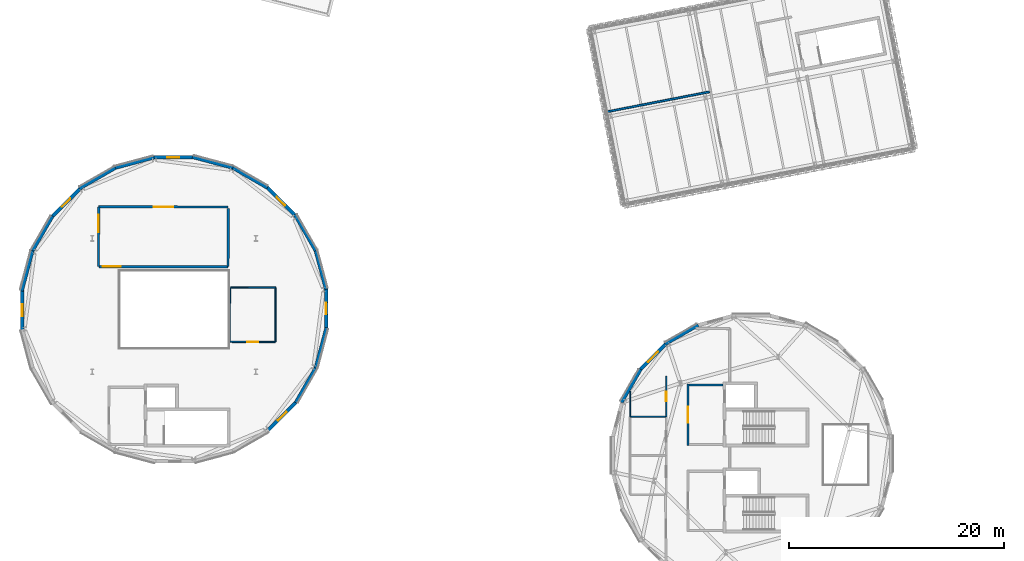
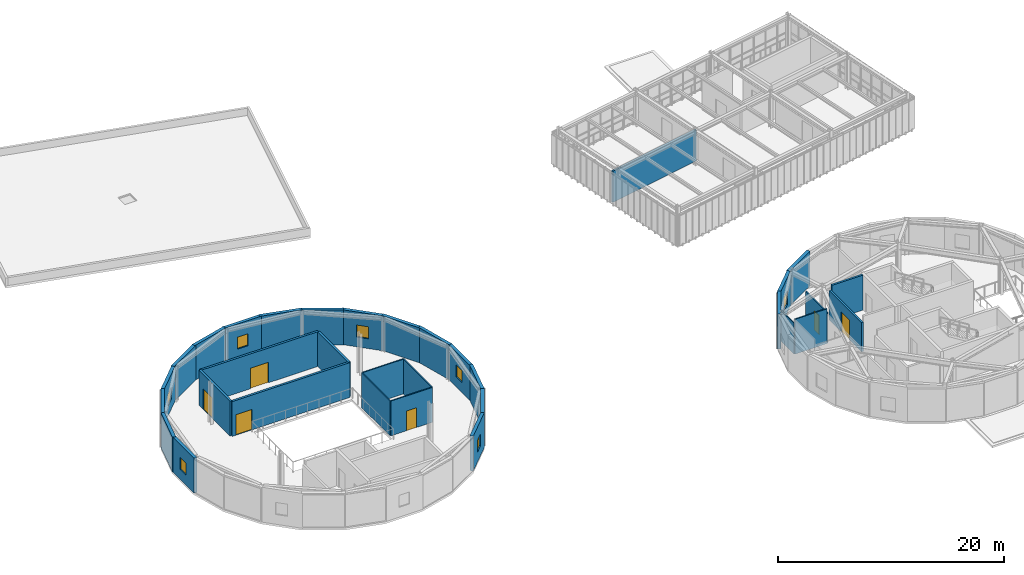
# One storey, part 27 of 44: 33 walls, 7 windows, 6 doors, 13 openings.
"""IFC4 building model written with IfcOpenShell, lengths in metres."""

from ifc_helpers import new_model, si_unit, direction, frame, frame_2d, origin, place, context, subcontext, project, spatial, rectangle, extrude, material, layer, layer_set, type_object, element, fill, save


model = new_model("IFC4")

# Units and contexts
model_context = context("Model", 3, precision=1e-05, world=origin(), true_north=direction((0.0, 1.0)))
body_context = subcontext(model_context, "Body", "Model", "MODEL_VIEW")
ifc_project = project(units=[si_unit("LENGTHUNIT", "METRE"), si_unit("AREAUNIT", "SQUARE_METRE"), si_unit("VOLUMEUNIT", "CUBIC_METRE"), si_unit("PLANEANGLEUNIT", "RADIAN"), si_unit("MASSUNIT", "GRAM", prefix="KILO")], contexts=[model_context])

# Site, building, storey
site_placement = place(None, origin())
site = spatial("IfcSite", under=ifc_project, at=site_placement, CompositionType="ELEMENT")
building_placement = place(site_placement, origin())
building = spatial("IfcBuilding", under=site, at=building_placement, Name="Varnklinge Art Gallery", CompositionType="ELEMENT")
storey_placement = place(building_placement, frame((0.0, 0.0, 13.679931640625)))
storey = spatial("IfcBuildingStorey", under=building, at=storey_placement, Name="L03", CompositionType="ELEMENT", Elevation=13.679931640625)

# Wall, opening, window
ifc_material_1 = material(Name="Precast concrete C40/50", Category="concrete")
ifc_layer_1 = layer(ifc_material_1, 0.320068359375)
ifc_layer_set_1 = layer_set([ifc_layer_1], Name="Precast concrete C40/50")
wall_type_1 = type_object("IfcWallType", Name="EW-32", PredefinedType="SOLIDWALL", material=ifc_layer_set_1)
wall_1_placement = place(storey_placement, frame((35.916748046875, 54.0185546875, 0.0), z_axis=(0.0, 0.0, 1.0), x_axis=(0.0, -1.0, 0.0)))
wall_1 = element("IfcWall", 1, at=wall_1_placement, inside=storey, type_object=wall_type_1, Name="L03 Exterior Wall EW-V3-L03-01", PredefinedType="SOLIDWALL", context=body_context, shape_type="SweptSolid", body=[
    extrude(rectangle(XDim=3.876953125, YDim=0.320068359375, at=frame_2d((1.9384765625, 0.0))), origin(), (0.0, 0.0, 1.0), 3.760009765625),
])
opening_1_placement = place(wall_1_placement, frame((1.388427734375, 0.0, 1.050048828125)))
opening_1 = element("IfcOpeningElement", 2, at=opening_1_placement, cuts=wall_1, Name="Opening WN-15", PredefinedType="OPENING", context=body_context, shape_type="SweptSolid", body=[
    extrude(rectangle(XDim=1.10009765625, YDim=1.300048828125, at=frame_2d((0.550048828125, 0.64990234375))), frame((0.0, 0.170166015625, 0.0), z_axis=(0.0, -1.0, 0.0), x_axis=(1.0, 0.0, 0.0)), (0.0, 0.0, 1.0), 0.340087890625),
])
ifc_material_2 = material(Name="Insulated Low-E Triple Glazing", Category="glass")
window_type_1 = type_object("IfcWindowType", Name="WN-15", PartitioningType="SINGLE_PANEL", PredefinedType="WINDOW", material=ifc_material_2)
window_1_placement = place(opening_1_placement, origin())
window_1 = element("IfcWindow", 3, at=window_1_placement, inside=storey, type_object=window_type_1, Name="L03 Window WIN-L03-058", OverallHeight=1.300048828125, OverallWidth=1.10009765625, PartitioningType="SINGLE_PANEL", PredefinedType="WINDOW", context=body_context, shape_type="SweptSolid", body=[
    extrude(rectangle(XDim=1.10009765625, YDim=1.300048828125, at=frame_2d((0.550048828125, 0.64990234375))), frame((0.0, 0.030029296875, 0.0), z_axis=(0.0, -1.0, 0.0), x_axis=(1.0, 0.0, 0.0)), (0.0, 0.0, 1.0), 0.06005859375),
])
fill(opening_1, window_1)

# Walls
wall_2_placement = place(storey_placement, frame((35.958251953125, 50.2958984375, 0.0), z_axis=(0.0, 0.0, 1.0), x_axis=(-0.258830519575, -0.96592275164, 0.0)))
element("IfcWall", 4, at=wall_2_placement, inside=storey, type_object=wall_type_1, Name="L03 Exterior Wall EW-V3-L03-02", PredefinedType="SOLIDWALL", context=body_context, shape_type="SweptSolid", body=[
    extrude(rectangle(XDim=3.876708984375, YDim=0.320068359375, at=frame_2d((1.9384765625, 0.0))), origin(), (0.0, 0.0, 1.0), 3.760009765625),
])
wall_3_placement = place(storey_placement, frame((35.034912109375, 46.689697265625, 0.0), z_axis=(0.0, 0.0, 1.0), x_axis=(-0.500033140659, -0.866006269171, 0.0)))
element("IfcWall", 5, at=wall_3_placement, inside=storey, type_object=wall_type_1, Name="L03 Exterior Wall EW-V3-L03-03", PredefinedType="SOLIDWALL", context=body_context, shape_type="SweptSolid", body=[
    extrude(rectangle(XDim=3.877197265625, YDim=0.320068359375, at=frame_2d((1.9384765625, 0.0))), origin(), (0.0, 0.0, 1.0), 3.760009765625),
])

# Wall, opening, window
wall_4_placement = place(storey_placement, frame((33.20947265625, 43.445068359375, 0.0), z_axis=(0.0, 0.0, 1.0), x_axis=(-0.707106781187, -0.707106781187, 0.0)))
wall_4 = element("IfcWall", 6, at=wall_4_placement, inside=storey, type_object=wall_type_1, Name="L03 Exterior Wall EW-V3-L03-04", PredefinedType="SOLIDWALL", context=body_context, shape_type="SweptSolid", body=[
    extrude(rectangle(XDim=3.876953125, YDim=0.320068359375, at=frame_2d((1.9384765625, 0.0))), origin(), (0.0, 0.0, 1.0), 3.760009765625),
])
opening_2_placement = place(wall_4_placement, frame((1.388427734375, 0.0, 1.050048828125)))
opening_2 = element("IfcOpeningElement", 7, at=opening_2_placement, cuts=wall_4, Name="Opening WN-15", PredefinedType="OPENING", context=body_context, shape_type="SweptSolid", body=[
    extrude(rectangle(XDim=1.10009765625, YDim=1.300048828125, at=frame_2d((0.550048828125, 0.64990234375))), frame((0.0, 0.170166015625, 0.0), z_axis=(0.0, -1.0, 0.0), x_axis=(1.0, 0.0, 0.0)), (0.0, 0.0, 1.0), 0.340087890625),
])
window_2_placement = place(opening_2_placement, origin())
window_2 = element("IfcWindow", 8, at=window_2_placement, inside=storey, type_object=window_type_1, Name="L03 Window WIN-L03-059", OverallHeight=1.300048828125, OverallWidth=1.10009765625, PartitioningType="SINGLE_PANEL", PredefinedType="WINDOW", context=body_context, shape_type="SweptSolid", body=[
    extrude(rectangle(XDim=1.10009765625, YDim=1.300048828125, at=frame_2d((0.550048828125, 0.64990234375))), frame((0.0, 0.030029296875, 0.0), z_axis=(0.0, -1.0, 0.0), x_axis=(1.0, 0.0, 0.0)), (0.0, 0.0, 1.0), 0.06005859375),
])
fill(opening_2, window_2)

wall_5_placement = place(storey_placement, frame((7.68310546875, 49.9814453125, 0.0), z_axis=(0.0, 0.0, 1.0), x_axis=(0.0, 1.0, 0.0)))
wall_5 = element("IfcWall", 9, at=wall_5_placement, inside=storey, type_object=wall_type_1, Name="L03 Exterior Wall EW-V3-L03-13", PredefinedType="SOLIDWALL", context=body_context, shape_type="SweptSolid", body=[
    extrude(rectangle(XDim=3.876953125, YDim=0.320068359375, at=frame_2d((1.9384765625, 0.0))), origin(), (0.0, 0.0, 1.0), 3.760009765625),
])
opening_3_placement = place(wall_5_placement, frame((1.388427734375, 0.0, 1.050048828125)))
opening_3 = element("IfcOpeningElement", 10, at=opening_3_placement, cuts=wall_5, Name="Opening WN-15", PredefinedType="OPENING", context=body_context, shape_type="SweptSolid", body=[
    extrude(rectangle(XDim=1.10009765625, YDim=1.300048828125, at=frame_2d((0.550048828125, 0.64990234375))), frame((0.0, 0.170166015625, 0.0), z_axis=(0.0, -1.0, 0.0), x_axis=(1.0, 0.0, 0.0)), (0.0, 0.0, 1.0), 0.340087890625),
])
window_3_placement = place(opening_3_placement, origin())
window_3 = element("IfcWindow", 11, at=window_3_placement, inside=storey, type_object=window_type_1, Name="L03 Window WIN-L03-062", OverallHeight=1.300048828125, OverallWidth=1.10009765625, PartitioningType="SINGLE_PANEL", PredefinedType="WINDOW", context=body_context, shape_type="SweptSolid", body=[
    extrude(rectangle(XDim=1.10009765625, YDim=1.300048828125, at=frame_2d((0.550048828125, 0.64990234375))), frame((0.0, 0.030029296875, 0.0), z_axis=(0.0, -1.0, 0.0), x_axis=(1.0, 0.0, 0.0)), (0.0, 0.0, 1.0), 0.06005859375),
])
fill(opening_3, window_3)

# Walls
wall_6_placement = place(storey_placement, frame((7.641845703125, 53.7041015625, 0.0), z_axis=(0.0, 0.0, 1.0), x_axis=(0.258830519575, 0.96592275164, 0.0)))
element("IfcWall", 12, at=wall_6_placement, inside=storey, type_object=wall_type_1, Name="L03 Exterior Wall EW-V3-L03-14", PredefinedType="SOLIDWALL", context=body_context, shape_type="SweptSolid", body=[
    extrude(rectangle(XDim=3.876708984375, YDim=0.320068359375, at=frame_2d((1.9384765625, 0.0))), origin(), (0.0, 0.0, 1.0), 3.760009765625),
])
wall_7_placement = place(storey_placement, frame((8.565185546875, 57.310302734375, 0.0), z_axis=(0.0, 0.0, 1.0), x_axis=(0.499985914114, 0.866033536122, 0.0)))
element("IfcWall", 13, at=wall_7_placement, inside=storey, type_object=wall_type_1, Name="L03 Exterior Wall EW-V3-L03-15", PredefinedType="SOLIDWALL", context=body_context, shape_type="SweptSolid", body=[
    extrude(rectangle(XDim=3.876953125, YDim=0.320068359375, at=frame_2d((1.9384765625, 0.0))), origin(), (0.0, 0.0, 1.0), 3.760009765625),
])

# Wall, opening, window
wall_8_placement = place(storey_placement, frame((10.390625, 60.554931640625, 0.0), z_axis=(0.0, 0.0, 1.0), x_axis=(0.707106781187, 0.707106781187, 0.0)))
wall_8 = element("IfcWall", 14, at=wall_8_placement, inside=storey, type_object=wall_type_1, Name="L03 Exterior Wall EW-V3-L03-16", PredefinedType="SOLIDWALL", context=body_context, shape_type="SweptSolid", body=[
    extrude(rectangle(XDim=3.876953125, YDim=0.320068359375, at=frame_2d((1.9384765625, 0.0))), origin(), (0.0, 0.0, 1.0), 3.760009765625),
])
opening_4_placement = place(wall_8_placement, frame((1.388427734375, 0.0, 1.050048828125)))
opening_4 = element("IfcOpeningElement", 15, at=opening_4_placement, cuts=wall_8, Name="Opening WN-15", PredefinedType="OPENING", context=body_context, shape_type="SweptSolid", body=[
    extrude(rectangle(XDim=1.10009765625, YDim=1.300048828125, at=frame_2d((0.550048828125, 0.64990234375))), frame((0.0, 0.170166015625, 0.0), z_axis=(0.0, -1.0, 0.0), x_axis=(1.0, 0.0, 0.0)), (0.0, 0.0, 1.0), 0.340087890625),
])
window_4_placement = place(opening_4_placement, origin())
window_4 = element("IfcWindow", 16, at=window_4_placement, inside=storey, type_object=window_type_1, Name="L03 Window WIN-L03-063", OverallHeight=1.300048828125, OverallWidth=1.10009765625, PartitioningType="SINGLE_PANEL", PredefinedType="WINDOW", context=body_context, shape_type="SweptSolid", body=[
    extrude(rectangle(XDim=1.10009765625, YDim=1.300048828125, at=frame_2d((0.550048828125, 0.64990234375))), frame((0.0, 0.030029296875, 0.0), z_axis=(0.0, -1.0, 0.0), x_axis=(1.0, 0.0, 0.0)), (0.0, 0.0, 1.0), 0.06005859375),
])
fill(opening_4, window_4)

# Walls
wall_9_placement = place(storey_placement, frame((12.993408203125, 63.21630859375, 0.0), z_axis=(0.0, 0.0, 1.0), x_axis=(0.866049276577, 0.499958648831, 0.0)))
element("IfcWall", 17, at=wall_9_placement, inside=storey, type_object=wall_type_1, Name="L03 Exterior Wall EW-V3-L03-17", PredefinedType="SOLIDWALL", context=body_context, shape_type="SweptSolid", body=[
    extrude(rectangle(XDim=3.877197265625, YDim=0.320068359375, at=frame_2d((1.9384765625, 0.0))), origin(), (0.0, 0.0, 1.0), 3.760009765625),
])
wall_10_placement = place(storey_placement, frame((16.19677734375, 65.11328125, 0.0), z_axis=(0.0, 0.0, 1.0), x_axis=(0.96592275164, 0.258830519575, 0.0)))
element("IfcWall", 18, at=wall_10_placement, inside=storey, type_object=wall_type_1, Name="L03 Exterior Wall EW-V3-L03-18", PredefinedType="SOLIDWALL", context=body_context, shape_type="SweptSolid", body=[
    extrude(rectangle(XDim=3.876708984375, YDim=0.320068359375, at=frame_2d((1.9384765625, 0.0))), origin(), (0.0, 0.0, 1.0), 3.760009765625),
])

# Wall, opening, window
wall_11_placement = place(storey_placement, frame((19.781494140625, 66.11669921875, 0.0), z_axis=(0.0, 0.0, 1.0), x_axis=(1.0, 0.0, 0.0)))
wall_11 = element("IfcWall", 19, at=wall_11_placement, inside=storey, type_object=wall_type_1, Name="L03 Exterior Wall EW-V3-L03-19", PredefinedType="SOLIDWALL", context=body_context, shape_type="SweptSolid", body=[
    extrude(rectangle(XDim=3.876953125, YDim=0.320068359375, at=frame_2d((1.9384765625, 0.0))), origin(), (0.0, 0.0, 1.0), 3.760009765625),
])
opening_5_placement = place(wall_11_placement, frame((1.388427734375, 0.0, 1.050048828125)))
opening_5 = element("IfcOpeningElement", 20, at=opening_5_placement, cuts=wall_11, Name="Opening WN-15", PredefinedType="OPENING", context=body_context, shape_type="SweptSolid", body=[
    extrude(rectangle(XDim=1.10009765625, YDim=1.300048828125, at=frame_2d((0.550048828125, 0.64990234375))), frame((0.0, 0.170166015625, 0.0), z_axis=(0.0, -1.0, 0.0), x_axis=(1.0, 0.0, 0.0)), (0.0, 0.0, 1.0), 0.340087890625),
])
window_5_placement = place(opening_5_placement, origin())
window_5 = element("IfcWindow", 21, at=window_5_placement, inside=storey, type_object=window_type_1, Name="L03 Window WIN-L03-064", OverallHeight=1.300048828125, OverallWidth=1.10009765625, PartitioningType="SINGLE_PANEL", PredefinedType="WINDOW", context=body_context, shape_type="SweptSolid", body=[
    extrude(rectangle(XDim=1.10009765625, YDim=1.300048828125, at=frame_2d((0.550048828125, 0.64990234375))), frame((0.0, 0.030029296875, 0.0), z_axis=(0.0, -1.0, 0.0), x_axis=(1.0, 0.0, 0.0)), (0.0, 0.0, 1.0), 0.06005859375),
])
fill(opening_5, window_5)

# Walls
wall_12_placement = place(storey_placement, frame((23.50390625, 66.158203125, 0.0), z_axis=(0.0, 0.0, 1.0), x_axis=(0.965926970208, -0.258814775902, 0.0)))
element("IfcWall", 22, at=wall_12_placement, inside=storey, type_object=wall_type_1, Name="L03 Exterior Wall EW-V3-L03-20", PredefinedType="SOLIDWALL", context=body_context, shape_type="SweptSolid", body=[
    extrude(rectangle(XDim=3.876953125, YDim=0.320068359375, at=frame_2d((1.9384765625, 0.0))), origin(), (0.0, 0.0, 1.0), 3.760009765625),
])
wall_13_placement = place(storey_placement, frame((27.110107421875, 65.23486328125, 0.0), z_axis=(0.0, 0.0, 1.0), x_axis=(0.866049276577, -0.499958648831, 0.0)))
element("IfcWall", 23, at=wall_13_placement, inside=storey, type_object=wall_type_1, Name="L03 Exterior Wall EW-V3-L03-21", PredefinedType="SOLIDWALL", context=body_context, shape_type="SweptSolid", body=[
    extrude(rectangle(XDim=3.877197265625, YDim=0.320068359375, at=frame_2d((1.9384765625, 0.0))), origin(), (0.0, 0.0, 1.0), 3.760009765625),
])

# Wall, opening, window
wall_14_placement = place(storey_placement, frame((30.35498046875, 63.409423828125, 0.0), z_axis=(0.0, 0.0, 1.0), x_axis=(0.707075293342, -0.707138267629, 0.0)))
wall_14 = element("IfcWall", 24, at=wall_14_placement, inside=storey, type_object=wall_type_1, Name="L03 Exterior Wall EW-V3-L03-22", PredefinedType="SOLIDWALL", context=body_context, shape_type="SweptSolid", body=[
    extrude(rectangle(XDim=3.876708984375, YDim=0.320068359375, at=frame_2d((1.9384765625, 0.0))), origin(), (0.0, 0.0, 1.0), 3.760009765625),
])
opening_6_placement = place(wall_14_placement, frame((1.388427734375, 0.0, 1.050048828125)))
opening_6 = element("IfcOpeningElement", 25, at=opening_6_placement, cuts=wall_14, Name="Opening WN-15", PredefinedType="OPENING", context=body_context, shape_type="SweptSolid", body=[
    extrude(rectangle(XDim=1.10009765625, YDim=1.300048828125, at=frame_2d((0.550048828125, 0.64990234375))), frame((0.0, 0.170166015625, 0.0), z_axis=(0.0, -1.0, 0.0), x_axis=(1.0, 0.0, 0.0)), (0.0, 0.0, 1.0), 0.340087890625),
])
window_6_placement = place(opening_6_placement, origin())
window_6 = element("IfcWindow", 26, at=window_6_placement, inside=storey, type_object=window_type_1, Name="L03 Window WIN-L03-065", OverallHeight=1.300048828125, OverallWidth=1.10009765625, PartitioningType="SINGLE_PANEL", PredefinedType="WINDOW", context=body_context, shape_type="SweptSolid", body=[
    extrude(rectangle(XDim=1.10009765625, YDim=1.300048828125, at=frame_2d((0.550048828125, 0.64990234375))), frame((0.0, 0.030029296875, 0.0), z_axis=(0.0, -1.0, 0.0), x_axis=(1.0, 0.0, 0.0)), (0.0, 0.0, 1.0), 0.06005859375),
])
fill(opening_6, window_6)

# Walls
wall_15_placement = place(storey_placement, frame((33.016357421875, 60.806640625, 0.0), z_axis=(0.0, 0.0, 1.0), x_axis=(0.499958648831, -0.866049276577, 0.0)))
element("IfcWall", 27, at=wall_15_placement, inside=storey, type_object=wall_type_1, Name="L03 Exterior Wall EW-V3-L03-23", PredefinedType="SOLIDWALL", context=body_context, shape_type="SweptSolid", body=[
    extrude(rectangle(XDim=3.877197265625, YDim=0.320068359375, at=frame_2d((1.9384765625, 0.0))), origin(), (0.0, 0.0, 1.0), 3.760009765625),
])
wall_16_placement = place(storey_placement, frame((34.913330078125, 57.603271484375, 0.0), z_axis=(0.0, 0.0, 1.0), x_axis=(0.258814775902, -0.965926970208, 0.0)))
element("IfcWall", 28, at=wall_16_placement, inside=storey, type_object=wall_type_1, Name="L03 Exterior Wall EW-V3-L03-24", PredefinedType="SOLIDWALL", context=body_context, shape_type="SweptSolid", body=[
    extrude(rectangle(XDim=3.876953125, YDim=0.320068359375, at=frame_2d((1.9384765625, 0.0))), origin(), (0.0, 0.0, 1.0), 3.760009765625),
])
wall_17_placement = place(storey_placement, frame((63.373779296875, 43.35107421875, 0.0), z_axis=(0.0, 0.0, 1.0), x_axis=(0.500007084799, 0.866021313335, 0.0)))
element("IfcWall", 29, at=wall_17_placement, inside=storey, type_object=wall_type_1, Name="L03 Exterior Wall EW-V4D-L03-15", PredefinedType="SOLIDWALL", context=body_context, shape_type="SweptSolid", body=[
    extrude(rectangle(XDim=3.56396484375, YDim=0.320068359375, at=frame_2d((1.781982421875, 0.0))), origin(), (0.0, 0.0, 1.0), 3.760009765625),
])

# Wall, opening, window
wall_18_placement = place(storey_placement, frame((65.04248046875, 46.324462890625, 0.0), z_axis=(0.0, 0.0, 1.0), x_axis=(0.707141034428, 0.707072526286, 0.0)))
wall_18 = element("IfcWall", 30, at=wall_18_placement, inside=storey, type_object=wall_type_1, Name="L03 Exterior Wall EW-V4D-L03-16", PredefinedType="SOLIDWALL", context=body_context, shape_type="SweptSolid", body=[
    extrude(rectangle(XDim=3.563720703125, YDim=0.320068359375, at=frame_2d((1.78173828125, 0.0))), origin(), (0.0, 0.0, 1.0), 3.760009765625),
])
opening_7_placement = place(wall_18_placement, frame((1.106689453125, 0.0, 0.85009765625)))
opening_7 = element("IfcOpeningElement", 31, at=opening_7_placement, cuts=wall_18, Name="Opening WN-02", PredefinedType="OPENING", context=body_context, shape_type="SweptSolid", body=[
    extrude(rectangle(XDim=1.35009765625, YDim=1.5, at=frame_2d((0.675048828125, 0.75))), frame((0.0, 0.170166015625, 0.0), z_axis=(0.0, -1.0, 0.0), x_axis=(1.0, 0.0, 0.0)), (0.0, 0.0, 1.0), 0.340087890625),
])
ifc_material_3 = material(Name="Insulated Low-E Triple Glazing", Category="glass")
window_type_2 = type_object("IfcWindowType", Name="WN-02", PartitioningType="SINGLE_PANEL", PredefinedType="WINDOW", material=ifc_material_3)
window_7_placement = place(opening_7_placement, origin())
window_7 = element("IfcWindow", 32, at=window_7_placement, inside=storey, type_object=window_type_2, Name="L03 Window WIN-L03-101", OverallHeight=1.5, OverallWidth=1.35009765625, PartitioningType="SINGLE_PANEL", PredefinedType="WINDOW", context=body_context, shape_type="SweptSolid", body=[
    extrude(rectangle(XDim=1.35009765625, YDim=1.5, at=frame_2d((0.675048828125, 0.75))), frame((0.0, 0.030029296875, 0.0), z_axis=(0.0, -1.0, 0.0), x_axis=(1.0, 0.0, 0.0)), (0.0, 0.0, 1.0), 0.06005859375),
])
fill(opening_7, window_7)

# Wall
wall_19_placement = place(storey_placement, frame((67.423828125, 48.764404296875, 0.0), z_axis=(0.0, 0.0, 1.0), x_axis=(0.8660680979, 0.499926044331, 0.0)))
element("IfcWall", 33, at=wall_19_placement, inside=storey, type_object=wall_type_1, Name="L03 Exterior Wall EW-V4D-L03-17", PredefinedType="SOLIDWALL", context=body_context, shape_type="SweptSolid", body=[
    extrude(rectangle(XDim=3.56396484375, YDim=0.320068359375, at=frame_2d((1.781982421875, 0.0))), origin(), (0.0, 0.0, 1.0), 3.760009765625),
])

# Wall, opening, door
ifc_material_4 = material(Name="Gypsum Board Partition", Category="gypsum")
ifc_layer_2 = layer(ifc_material_4, 0.10009765625)
ifc_layer_set_2 = layer_set([ifc_layer_2], Name="Gypsum Board Partition")
wall_type_2 = type_object("IfcWallType", Name="IW-10", PredefinedType="PARTITIONING", material=ifc_layer_set_2)
wall_20_placement = place(storey_placement, frame((67.530029296875, 45.800048828125, 0.0), z_axis=(0.0, 0.0, 1.0), x_axis=(0.0, -1.0, 0.0)))
wall_20 = element("IfcWall", 34, at=wall_20_placement, inside=storey, type_object=wall_type_2, Name="L03 Partition Wall IW-L03-0336", PredefinedType="PARTITIONING", context=body_context, shape_type="SweptSolid", body=[
    extrude(rectangle(XDim=3.800048828125, YDim=0.10009765625, at=frame_2d((1.89990234375, 0.0))), origin(), (0.0, 0.0, 1.0), 3.300048828125),
])
opening_8_placement = place(wall_20_placement, frame((1.43994140625, 0.0, 0.0)))
opening_8 = element("IfcOpeningElement", 35, at=opening_8_placement, cuts=wall_20, Name="Opening D-L03-254", PredefinedType="OPENING", context=body_context, shape_type="SweptSolid", body=[
    extrude(rectangle(XDim=0.919921875, YDim=2.080078125, at=frame_2d((0.4599609375, 1.0400390625))), frame((0.0, 0.06005859375, 0.0), z_axis=(0.0, -1.0, 0.0), x_axis=(1.0, 0.0, 0.0)), (0.0, 0.0, 1.0), 0.1201171875),
])
ifc_material_5 = material(Name="Oak Timber Leaf", Category="wood")
door_type_1 = type_object("IfcDoorType", Name="ID-01", OperationType="SINGLE_SWING_LEFT", PredefinedType="DOOR", material=ifc_material_5)
door_1_placement = place(opening_8_placement, origin())
door_1 = element("IfcDoor", 36, at=door_1_placement, inside=storey, type_object=door_type_1, Name="L03 L03 Curatorial Conservation Closet Door D-L03-254", OperationType="SINGLE_SWING_RIGHT", OverallHeight=2.080078125, OverallWidth=0.919921875, PredefinedType="DOOR", context=body_context, shape_type="SweptSolid", body=[
    extrude(rectangle(XDim=0.919921875, YDim=2.080078125, at=frame_2d((0.4599609375, 1.0400390625))), frame((0.0, 0.02490234375, 0.0), z_axis=(0.0, -1.0, 0.0), x_axis=(1.0, 0.0, 0.0)), (0.0, 0.0, 1.0), 0.050048828125),
])
fill(opening_8, door_1)

# Wall
wall_21_placement = place(storey_placement, frame((64.169921875, 42.0, 0.0), z_axis=(0.0, 0.0, 1.0), x_axis=(0.0, 1.0, 0.0)))
element("IfcWall", 37, at=wall_21_placement, inside=storey, type_object=wall_type_2, Name="L03 Partition Wall IW-L03-0356", PredefinedType="PARTITIONING", context=body_context, shape_type="SweptSolid", body=[
    extrude(rectangle(XDim=2.402099609375, YDim=0.10009765625, at=frame_2d((1.201171875, 0.0))), origin(), (0.0, 0.0, 1.0), 3.300048828125),
])

# Wall, opening, door
ifc_material_6 = material(Name="Gypsum Board Partition", Category="gypsum")
ifc_layer_3 = layer(ifc_material_6, 0.1201171875)
ifc_layer_set_3 = layer_set([ifc_layer_3], Name="Gypsum Board Partition")
wall_type_3 = type_object("IfcWallType", Name="IW-12", PredefinedType="PARTITIONING", material=ifc_layer_set_3)
wall_22_placement = place(storey_placement, frame((31.199951171875, 48.969970703125, 0.0), z_axis=(0.0, 0.0, 1.0), x_axis=(-0.999996616228, 0.002601448013, 0.0)))
wall_22 = element("IfcWall", 38, at=wall_22_placement, inside=storey, type_object=wall_type_3, Name="L03 Partition Wall IW-L03-0326", PredefinedType="PARTITIONING", context=body_context, shape_type="SweptSolid", body=[
    extrude(rectangle(XDim=4.22314453125, YDim=0.1201171875, at=frame_2d((2.111572265625, 0.0))), origin(), (0.0, 0.0, 1.0), 3.75),
])
opening_9_placement = place(wall_22_placement, frame((1.6015625, 0.0, 0.0)))
opening_9 = element("IfcOpeningElement", 39, at=opening_9_placement, cuts=wall_22, Name="Opening D-L03-248", PredefinedType="OPENING", context=body_context, shape_type="SweptSolid", body=[
    extrude(rectangle(XDim=1.02001953125, YDim=2.1201171875, at=frame_2d((0.510009765625, 1.06005859375))), frame((0.0, 0.070068359375, 0.0), z_axis=(0.0, -1.0, 0.0), x_axis=(1.0, 0.0, 0.0)), (0.0, 0.0, 1.0), 0.14013671875),
])
ifc_material_7 = material(Name="Oak Timber Leaf", Category="wood")
door_type_2 = type_object("IfcDoorType", Name="ID-03", OperationType="SINGLE_SWING_LEFT", PredefinedType="DOOR", material=ifc_material_7)
door_2_placement = place(opening_9_placement, origin())
door_2 = element("IfcDoor", 40, at=door_2_placement, inside=storey, type_object=door_type_2, Name="L03 L03 Accessible WC Drum Door D-L03-248", OperationType="SINGLE_SWING_RIGHT", OverallHeight=2.1201171875, OverallWidth=1.02001953125, PredefinedType="DOOR", context=body_context, shape_type="SweptSolid", body=[
    extrude(rectangle(XDim=1.02001953125, YDim=2.1201171875, at=frame_2d((0.510009765625, 1.06005859375))), frame((0.0, 0.02490234375, 0.0), z_axis=(0.0, -1.0, 0.0), x_axis=(1.0, 0.0, 0.0)), (0.0, 0.0, 1.0), 0.050048828125),
])
fill(opening_9, door_2)

# Walls
wall_23_placement = place(storey_placement, frame((26.976806640625, 48.98095703125, 0.0), z_axis=(0.0, 0.0, 1.0), x_axis=(0.000823124691, 0.999999661233, 0.0)))
element("IfcWall", 41, at=wall_23_placement, inside=storey, type_object=wall_type_3, Name="L03 Partition Wall IW-L03-0327", PredefinedType="PARTITIONING", context=body_context, shape_type="SweptSolid", body=[
    extrude(rectangle(XDim=5.042236328125, YDim=0.1201171875, at=frame_2d((2.52099609375, 0.0))), origin(), (0.0, 0.0, 1.0), 3.75),
])
wall_24_placement = place(storey_placement, frame((27.055908203125, 54.023193359375, 0.0), z_axis=(0.0, 0.0, 1.0), x_axis=(0.999999504035, -0.00099595709, 0.0)))
element("IfcWall", 42, at=wall_24_placement, inside=storey, type_object=wall_type_3, Name="L03 Partition Wall IW-L03-0328", PredefinedType="PARTITIONING", context=body_context, shape_type="SweptSolid", body=[
    extrude(rectangle(XDim=4.167236328125, YDim=0.1201171875, at=frame_2d((2.08349609375, 0.0))), origin(), (0.0, 0.0, 1.0), 3.75),
])
wall_25_placement = place(storey_placement, frame((31.22314453125, 54.01904296875, 0.0), z_axis=(0.0, 0.0, 1.0), x_axis=(0.001361998931, -0.999999072479, 0.0)))
element("IfcWall", 43, at=wall_25_placement, inside=storey, type_object=wall_type_3, Name="L03 Partition Wall IW-L03-0329", PredefinedType="PARTITIONING", context=body_context, shape_type="SweptSolid", body=[
    extrude(rectangle(XDim=5.01904296875, YDim=0.1201171875, at=frame_2d((2.509521484375, 0.0))), origin(), (0.0, 0.0, 1.0), 3.75),
])
wall_26_placement = place(storey_placement, frame((64.199951171875, 42.030029296875, 0.0), z_axis=(0.0, 0.0, 1.0), x_axis=(1.0, 0.0, 0.0)))
element("IfcWall", 44, at=wall_26_placement, inside=storey, type_object=wall_type_3, Name="L03 Partition Wall IW-L03-0354", PredefinedType="PARTITIONING", context=body_context, shape_type="SweptSolid", body=[
    extrude(rectangle(XDim=3.26513671875, YDim=0.1201171875, at=frame_2d((1.632568359375, 0.0))), origin(), (0.0, 0.0, 1.0), 3.75),
])
ifc_material_8 = material(Name="Gypsum Board Partition", Category="gypsum")
ifc_layer_4 = layer(ifc_material_8, 0.179931640625)
ifc_layer_set_4 = layer_set([ifc_layer_4], Name="Gypsum Board Partition")
wall_type_4 = type_object("IfcWallType", Name="IW-18", PredefinedType="PARTITIONING", material=ifc_layer_set_4)
wall_27_placement = place(storey_placement, frame((71.547607421875, 72.21044921875, 0.0), z_axis=(0.0, 0.0, 1.0), x_axis=(-0.981627297685, -0.190808407676, 0.0)))
element("IfcWall", 45, at=wall_27_placement, inside=storey, type_object=wall_type_4, Name="L03 Partition Wall IW-L03-0357", PredefinedType="PARTITIONING", context=body_context, shape_type="SweptSolid", body=[
    extrude(rectangle(XDim=9.815185546875, YDim=0.179931640625, at=frame_2d((4.90771484375, 0.0))), origin(), (0.0, 0.0, 1.0), 3.35009765625),
])
ifc_material_9 = material(Name="Concrete C40/50", Category="concrete")
ifc_layer_5 = layer(ifc_material_9, 0.199951171875)
ifc_layer_set_5 = layer_set([ifc_layer_5], Name="Concrete C40/50")
wall_type_5 = type_object("IfcWallType", Name="IW-20", PredefinedType="PARTITIONING", material=ifc_layer_set_5)
wall_28_placement = place(storey_placement, frame((72.800048828125, 44.9599609375, 0.0), z_axis=(0.0, 0.0, 1.0), x_axis=(-1.0, 0.0, 0.0)))
element("IfcWall", 46, at=wall_28_placement, inside=storey, type_object=wall_type_5, Name="L03 Core C2 Lobby North Wall", PredefinedType="PARTITIONING", context=body_context, shape_type="SweptSolid", body=[
    extrude(rectangle(XDim=3.150146484375, YDim=0.199951171875, at=frame_2d((1.5751953125, 0.0))), origin(), (0.0, 0.0, 1.0), 3.760009765625),
])

# Wall, opening, door
wall_29_placement = place(storey_placement, frame((69.550048828125, 39.35009765625, 0.0), z_axis=(0.0, 0.0, 1.0), x_axis=(0.0, 1.0, 0.0)))
wall_29 = element("IfcWall", 47, at=wall_29_placement, inside=storey, type_object=wall_type_5, Name="L03 Core C2 Lobby Corridor Wall", PredefinedType="PARTITIONING", context=body_context, shape_type="SweptSolid", body=[
    extrude(rectangle(XDim=5.7099609375, YDim=0.199951171875, at=frame_2d((2.85498046875, 0.0))), origin(), (0.0, 0.0, 1.0), 3.150146484375),
])
opening_10_placement = place(wall_29_placement, frame((2.114990234375, 0.0, 0.0)))
opening_10 = element("IfcOpeningElement", 48, at=opening_10_placement, cuts=wall_29, Name="Opening D-L03-039", PredefinedType="OPENING", context=body_context, shape_type="SweptSolid", body=[
    extrude(rectangle(XDim=1.47998046875, YDim=2.14990234375, at=frame_2d((0.739990234375, 1.074951171875))), frame((0.0, 0.110107421875, 0.0), z_axis=(0.0, -1.0, 0.0), x_axis=(1.0, 0.0, 0.0)), (0.0, 0.0, 1.0), 0.219970703125),
])
ifc_material_10 = material(Name="Galvanised Fire-Rated Steel", Category="steel")
door_type_3 = type_object("IfcDoorType", Name="ID-LB1", OperationType="DOUBLE_DOOR_SINGLE_SWING", PredefinedType="DOOR", material=ifc_material_10)
door_3_placement = place(opening_10_placement, origin())
door_3 = element("IfcDoor", 49, at=door_3_placement, inside=storey, type_object=door_type_3, Name="L03 Core C2 Protected Lobby Door D-L03-039", OperationType="DOUBLE_DOOR_SINGLE_SWING", OverallHeight=2.14990234375, OverallWidth=1.47998046875, PredefinedType="DOOR", context=body_context, shape_type="SweptSolid", body=[
    extrude(rectangle(XDim=1.47998046875, YDim=2.14990234375, at=frame_2d((0.739990234375, 1.074951171875))), frame((0.0, 0.02490234375, 0.0), z_axis=(0.0, -1.0, 0.0), x_axis=(1.0, 0.0, 0.0)), (0.0, 0.0, 1.0), 0.050048828125),
])
fill(opening_10, door_3)

ifc_material_11 = material(Name="Concrete C40/50", Category="concrete")
ifc_layer_6 = layer(ifc_material_11, 0.219970703125)
ifc_layer_set_6 = layer_set([ifc_layer_6], Name="Concrete C40/50")
wall_type_6 = type_object("IfcWallType", Name="IW-22", PredefinedType="PARTITIONING", material=ifc_layer_set_6)
wall_30_placement = place(storey_placement, frame((14.77001953125, 56.0, 0.0), z_axis=(0.0, 0.0, 1.0), x_axis=(0.003356723282, 0.999994366189, 0.0)))
wall_30 = element("IfcWall", 50, at=wall_30_placement, inside=storey, type_object=wall_type_6, Name="L03 Partition Wall IW-L03-0330", PredefinedType="PARTITIONING", context=body_context, shape_type="SweptSolid", body=[
    extrude(rectangle(XDim=5.527587890625, YDim=0.219970703125, at=frame_2d((2.763671875, 0.0))), origin(), (0.0, 0.0, 1.0), 3.75),
])
opening_11_placement = place(wall_30_placement, frame((3.159912109375, 0.0, 0.0)))
opening_11 = element("IfcOpeningElement", 51, at=opening_11_placement, cuts=wall_30, Name="Opening D-L03-249", PredefinedType="OPENING", context=body_context, shape_type="SweptSolid", body=[
    extrude(rectangle(XDim=1.639892578125, YDim=2.199951171875, at=frame_2d((0.81982421875, 1.10009765625))), frame((0.0, 0.119873046875, 0.0), z_axis=(0.0, -1.0, 0.0), x_axis=(1.0, 0.0, 0.0)), (0.0, 0.0, 1.0), 0.239990234375),
])
ifc_material_12 = material(Name="Oak Timber Leaf", Category="wood")
door_type_4 = type_object("IfcDoorType", Name="ID-08", OperationType="DOUBLE_DOOR_SINGLE_SWING", PredefinedType="DOOR", material=ifc_material_12)
door_4_placement = place(opening_11_placement, origin())
door_4 = element("IfcDoor", 52, at=door_4_placement, inside=storey, type_object=door_type_4, Name="L03 L03 Chamber Symposium Hall Door D-L03-249", OperationType="DOUBLE_DOOR_SINGLE_SWING", OverallHeight=2.199951171875, OverallWidth=1.639892578125, PredefinedType="DOOR", context=body_context, shape_type="SweptSolid", body=[
    extrude(rectangle(XDim=1.639892578125, YDim=2.199951171875, at=frame_2d((0.81982421875, 1.10009765625))), frame((0.0, 0.02490234375, 0.0), z_axis=(0.0, -1.0, 0.0), x_axis=(1.0, 0.0, 0.0)), (0.0, 0.0, 1.0), 0.050048828125),
])
fill(opening_11, door_4)

wall_31_placement = place(storey_placement, frame((14.78857421875, 61.527587890625, 0.0), z_axis=(0.0, 0.0, 1.0), x_axis=(0.999999104322, -0.001338415414, 0.0)))
wall_31 = element("IfcWall", 53, at=wall_31_placement, inside=storey, type_object=wall_type_6, Name="L03 Partition Wall IW-L03-0331", PredefinedType="PARTITIONING", context=body_context, shape_type="SweptSolid", body=[
    extrude(rectangle(XDim=12.0390625, YDim=0.219970703125, at=frame_2d((6.01953125, 0.0))), origin(), (0.0, 0.0, 1.0), 3.75),
])
opening_12_placement = place(wall_31_placement, frame((5.099609375, 0.0, 0.0)))
opening_12 = element("IfcOpeningElement", 54, at=opening_12_placement, cuts=wall_31, Name="Opening D-L03-250", PredefinedType="OPENING", context=body_context, shape_type="SweptSolid", body=[
    extrude(rectangle(XDim=1.840087890625, YDim=2.219970703125, at=frame_2d((0.919921875, 1.10986328125))), frame((0.0, 0.119873046875, 0.0), z_axis=(0.0, -1.0, 0.0), x_axis=(1.0, 0.0, 0.0)), (0.0, 0.0, 1.0), 0.239990234375),
])
ifc_material_13 = material(Name="Anodised Aluminium", Category="aluminium")
door_type_5 = type_object("IfcDoorType", Name="ID-09", OperationType="DOUBLE_DOOR_SINGLE_SWING", PredefinedType="DOOR", material=ifc_material_13)
door_5_placement = place(opening_12_placement, origin())
door_5 = element("IfcDoor", 55, at=door_5_placement, inside=storey, type_object=door_type_5, Name="L03 L03 Chamber Symposium Hall Door D-L03-250", OperationType="DOUBLE_DOOR_SINGLE_SWING", OverallHeight=2.219970703125, OverallWidth=1.840087890625, PredefinedType="DOOR", context=body_context, shape_type="SweptSolid", body=[
    extrude(rectangle(XDim=1.840087890625, YDim=2.219970703125, at=frame_2d((0.919921875, 1.10986328125))), frame((0.0, 0.02490234375, 0.0), z_axis=(0.0, -1.0, 0.0), x_axis=(1.0, 0.0, 0.0)), (0.0, 0.0, 1.0), 0.050048828125),
])
fill(opening_12, door_5)

# Wall
wall_32_placement = place(storey_placement, frame((26.827392578125, 61.386474609375, 0.0), z_axis=(0.0, 0.0, 1.0), x_axis=(-0.00293108409, -0.999995704364, 0.0)))
element("IfcWall", 56, at=wall_32_placement, inside=storey, type_object=wall_type_6, Name="L03 Partition Wall IW-L03-0332", PredefinedType="PARTITIONING", context=body_context, shape_type="SweptSolid", body=[
    extrude(rectangle(XDim=5.4140625, YDim=0.219970703125, at=frame_2d((2.70703125, 0.0))), origin(), (0.0, 0.0, 1.0), 3.75),
])

# Wall, opening, door
wall_33_placement = place(storey_placement, frame((26.8115234375, 55.972412109375, 0.0), z_axis=(0.0, 0.0, 1.0), x_axis=(-0.999999979343, -0.00020325616, 0.0)))
wall_33 = element("IfcWall", 57, at=wall_33_placement, inside=storey, type_object=wall_type_6, Name="L03 Partition Wall IW-L03-0333", PredefinedType="PARTITIONING", context=body_context, shape_type="SweptSolid", body=[
    extrude(rectangle(XDim=12.011474609375, YDim=0.219970703125, at=frame_2d((6.005859375, 0.0))), origin(), (0.0, 0.0, 1.0), 3.75),
])
opening_13_placement = place(wall_33_placement, frame((9.990478515625, 0.0, 0.0)))
opening_13 = element("IfcOpeningElement", 58, at=opening_13_placement, cuts=wall_33, Name="Opening D-L03-251", PredefinedType="OPENING", context=body_context, shape_type="SweptSolid", body=[
    extrude(rectangle(XDim=1.639892578125, YDim=2.199951171875, at=frame_2d((0.81982421875, 1.10009765625))), frame((0.0, 0.119873046875, 0.0), z_axis=(0.0, -1.0, 0.0), x_axis=(1.0, 0.0, 0.0)), (0.0, 0.0, 1.0), 0.239990234375),
])
door_6_placement = place(opening_13_placement, origin())
door_6 = element("IfcDoor", 59, at=door_6_placement, inside=storey, type_object=door_type_4, Name="L03 L03 Chamber Symposium Hall Door D-L03-251", OperationType="DOUBLE_DOOR_SINGLE_SWING", OverallHeight=2.199951171875, OverallWidth=1.639892578125, PredefinedType="DOOR", context=body_context, shape_type="SweptSolid", body=[
    extrude(rectangle(XDim=1.639892578125, YDim=2.199951171875, at=frame_2d((0.81982421875, 1.10009765625))), frame((0.0, 0.02490234375, 0.0), z_axis=(0.0, -1.0, 0.0), x_axis=(1.0, 0.0, 0.0)), (0.0, 0.0, 1.0), 0.050048828125),
])
fill(opening_13, door_6)

save(model, "model.ifc")
